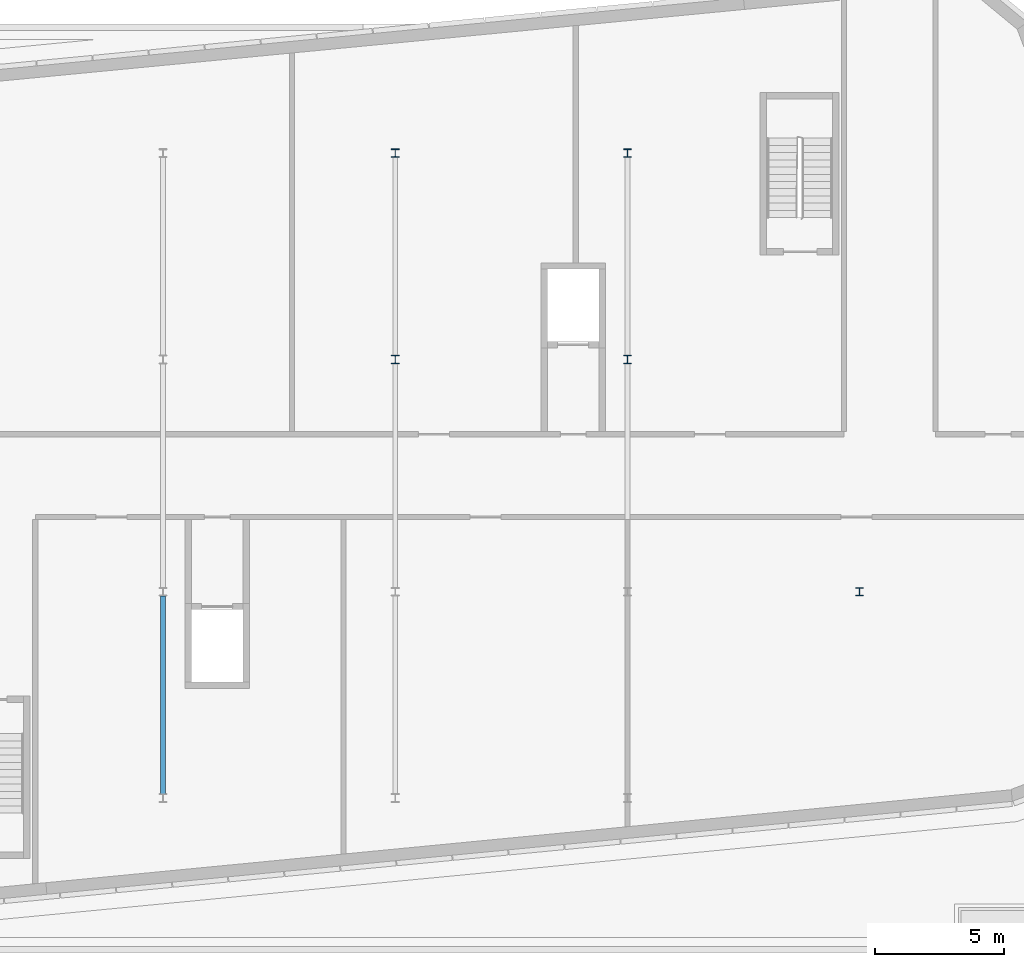
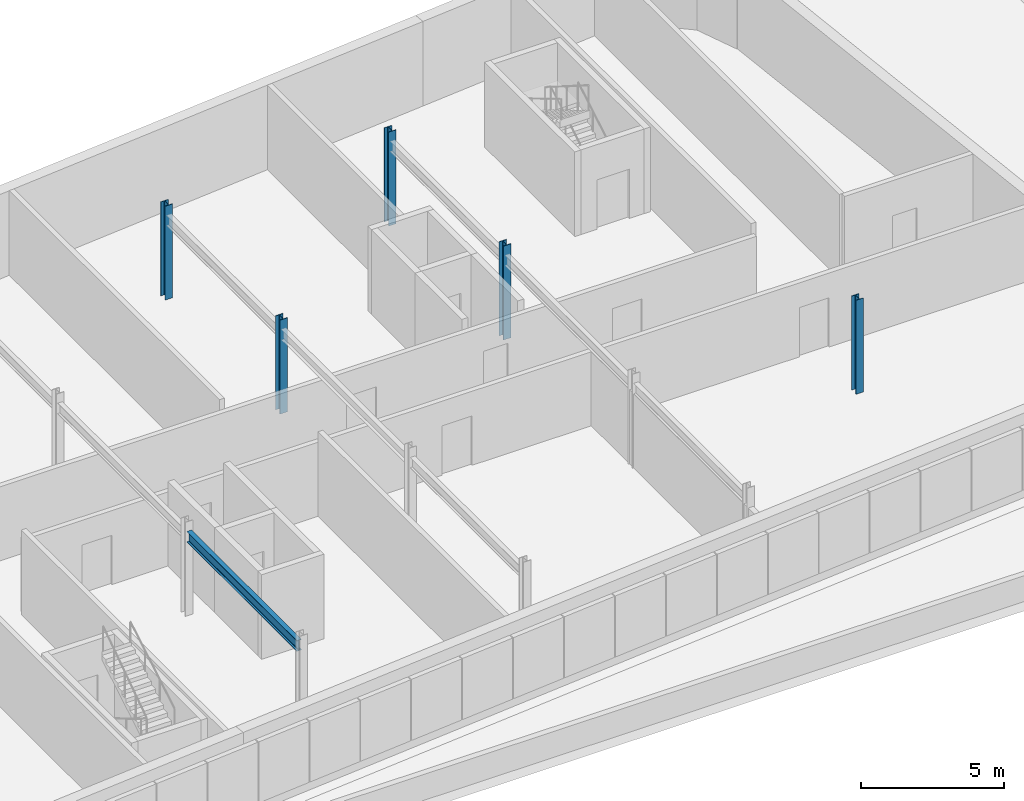
# One storey, part 2 of 7: 5 columns, 1 beam.
"""IFC4 building model written with IfcOpenShell, lengths in metres."""

from ifc_helpers import new_model, si_unit, direction, frame, origin, origin_2d, place, context, subcontext, project, spatial, i_section, extrude, material, material_profile, profile_set, type_object, element, save


model = new_model("IFC4")

# Units and contexts
model_context = context("Model", 3, precision=1e-05, world=origin(), true_north=direction((0.0, 1.0)))
body_context = subcontext(model_context, "Body", "Model", "MODEL_VIEW")
ifc_project = project(units=[si_unit("LENGTHUNIT", "METRE"), si_unit("AREAUNIT", "SQUARE_METRE"), si_unit("VOLUMEUNIT", "CUBIC_METRE"), si_unit("PLANEANGLEUNIT", "RADIAN"), si_unit("MASSUNIT", "GRAM", prefix="KILO")], contexts=[model_context])

# Site, building, storey
site_placement = place(None, origin())
site = spatial("IfcSite", under=ifc_project, at=site_placement, CompositionType="ELEMENT")
building_placement = place(site_placement, origin())
building = spatial("IfcBuilding", under=site, at=building_placement, Name="Kajstack Hotel Tower", CompositionType="ELEMENT")
storey_placement = place(building_placement, frame((0.0, 0.0, 317.800048828125)))
storey = spatial("IfcBuildingStorey", under=building, at=storey_placement, Name="L80", CompositionType="ELEMENT", Elevation=317.800048828125)

# Columns
ifc_material = material(Name="Steel S355J2", Category="steel")
ifc_material_profile_1 = material_profile(ifc_material, i_section(OverallWidth=0.300048828125, OverallDepth=0.320068359375, WebThickness=0.011474609375, FlangeThickness=0.0205078125, FilletRadius=0.027099609375, at=origin_2d()), Name="HEB 320")
ifc_profile_set_1 = profile_set([ifc_material_profile_1], Name="Steel S355J2")
column_type = type_object("IfcColumnType", Name="CC2 HEB 320", PredefinedType="COLUMN", material=ifc_profile_set_1)
for number, where, z_axis, x_axis, name in (
    (1, (0.0, 4.5, 0.0), (0.0, 0.0, 1.0), (1.0, 0.0, 0.0), "S-col-c-L80-+0p0+4p5"),
    (2, (0.0, 12.5, 0.0), (0.0, 0.0, 1.0), (1.0, 0.0, 0.0), "S-col-c-L80-+0p0+12p5"),
    (3, (9.0, 4.5, 0.0), (0.0, 0.0, 1.0), (1.0, 0.0, 0.0), "S-col-c-L80-+9p0+4p5"),
    (4, (9.0, 12.5, 0.0), (0.0, 0.0, 1.0), (1.0, 0.0, 0.0), "S-col-c-L80-+9p0+12p5"),
    (5, (18.0, -4.5, 0.0), (0.0, 0.0, 1.0), (1.0, 0.0, 0.0), "S-col-c-L80-+18p0-4p5"),
):
    element("IfcColumn", number, at=place(storey_placement, frame(where, z_axis=z_axis, x_axis=x_axis)), inside=storey, type_object=column_type, Name=name, PredefinedType="COLUMN", context=body_context, shape_type="SweptSolid", body=[
        extrude(i_section(OverallWidth=0.300048828125, OverallDepth=0.320068359375, WebThickness=0.011474609375, FlangeThickness=0.0205078125, FilletRadius=0.027099609375, at=origin_2d()), origin(), (0.0, 0.0, 1.0), 4.0),
    ])

# Beam
ifc_material_profile_2 = material_profile(ifc_material, i_section(OverallWidth=0.18994140625, OverallDepth=0.449951171875, WebThickness=0.009521484375, FlangeThickness=0.0146484375, FilletRadius=0.02099609375, at=origin_2d()), Name="IPE 450")
ifc_profile_set_2 = profile_set([ifc_material_profile_2], Name="Steel S355J2")
beam_type = type_object("IfcBeamType", Name="CF2 IPE 450", PredefinedType="BEAM", material=ifc_profile_set_2)
beam_placement = place(storey_placement, frame((-9.0, -12.340087890625, 3.375), z_axis=(0.0, 1.0, 0.0), x_axis=(-1.0, 0.0, 0.0)))
element("IfcBeam", 6, at=beam_placement, inside=storey, type_object=beam_type, Name="S-beam-c-L80--9p0-1", PredefinedType="BEAM", context=body_context, shape_type="SweptSolid", body=[
    extrude(i_section(OverallWidth=0.18994140625, OverallDepth=0.449951171875, WebThickness=0.009521484375, FlangeThickness=0.0146484375, FilletRadius=0.02099609375, at=origin_2d()), origin(), (0.0, 0.0, 1.0), 7.68017578125),
])

save(model, "model.ifc")
